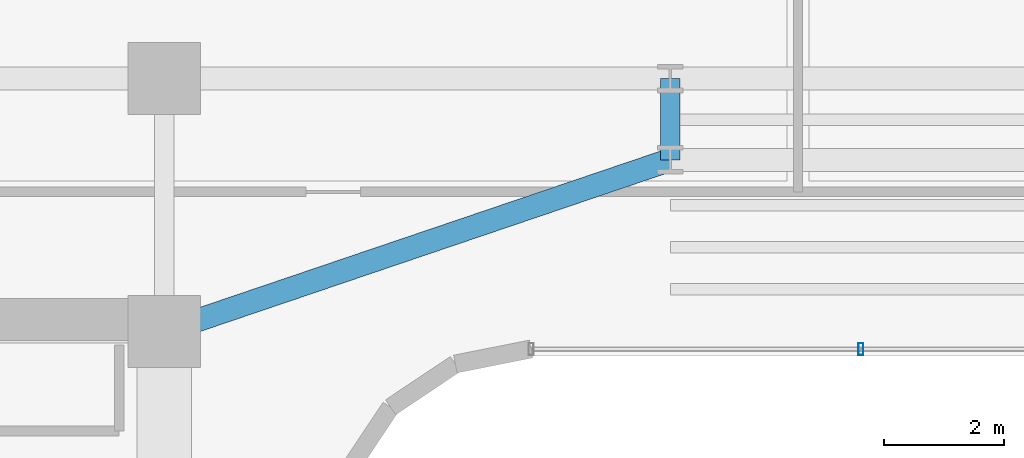
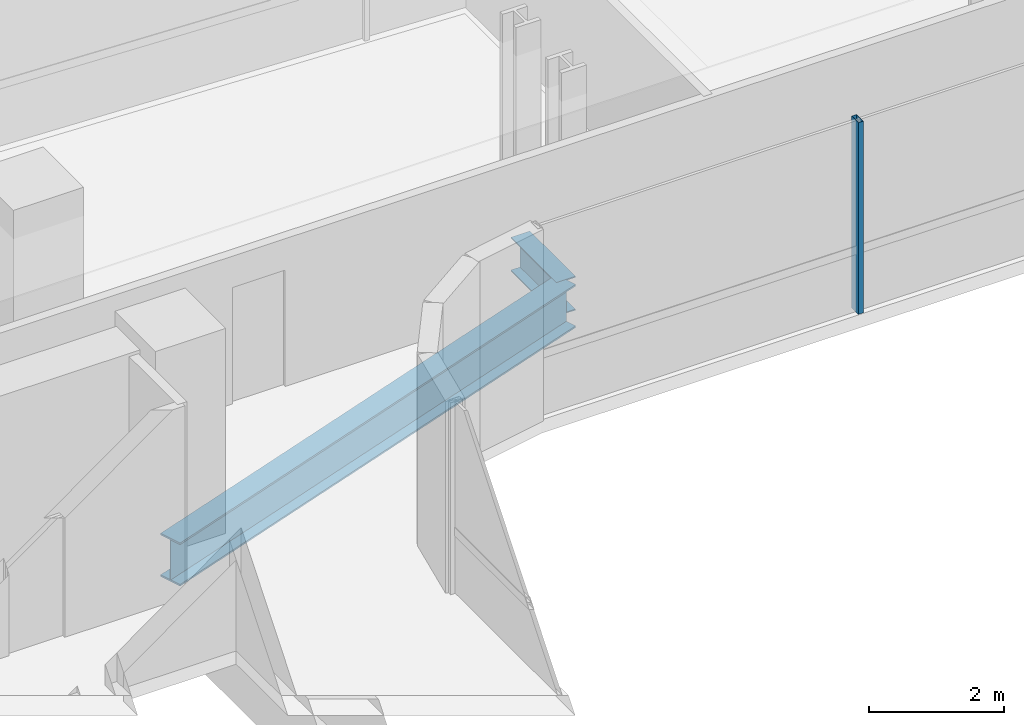
# One storey, part 10 of 34: 2 beams, 1 member, 1 element without a shape of its own.
"""IFC4 building model written with IfcOpenShell, lengths in metres."""

from ifc_helpers import new_model, si_unit, direction, frame, origin, origin_2d, place, context, subcontext, project, spatial, hollow_rectangle, i_section, extrude, source, transform, mapped, material, material_profile, profile_set, type_object, element, aggregate, save


model = new_model("IFC4")

# Units and contexts
model_context = context("Model", 3, precision=1e-05, world=origin(), true_north=direction((0.0, 1.0)))
body_context = subcontext(model_context, "Body", "Model", "MODEL_VIEW")
ifc_project = project(units=[si_unit("LENGTHUNIT", "METRE"), si_unit("AREAUNIT", "SQUARE_METRE"), si_unit("VOLUMEUNIT", "CUBIC_METRE"), si_unit("PLANEANGLEUNIT", "RADIAN"), si_unit("MASSUNIT", "GRAM", prefix="KILO")], contexts=[model_context])

# Site, building, storey
site_placement = place(None, origin())
site = spatial("IfcSite", under=ifc_project, at=site_placement, CompositionType="ELEMENT")
building_placement = place(site_placement, origin())
building = spatial("IfcBuilding", under=site, at=building_placement, Name="Valdorenza Pilgrim Sanctuary Tower", CompositionType="ELEMENT")
storey_placement = place(building_placement, frame((0.0, 0.0, 142.699951171875)))
storey = spatial("IfcBuildingStorey", under=building, at=storey_placement, Name="L36", CompositionType="ELEMENT", Elevation=142.699951171875)

# Beams
ifc_material_1 = material(Name="Steel ASTM A992 Grade 50", Category="steel")
ifc_material_profile_1 = material_profile(ifc_material_1, i_section(OverallWidth=0.323974609375, OverallDepth=0.611083984375, WebThickness=0.0126953125, FlangeThickness=0.01904296875, at=origin_2d()), Name="W24X104")
ifc_profile_set_1 = profile_set([ifc_material_profile_1], Name="Steel ASTM A992 Grade 50")
beam_type_1 = type_object("IfcBeamType", Name="STR-BM-GRD-W24B", PredefinedType="BEAM", material=ifc_profile_set_1)
shared_shape_1 = source(origin(), body_context, "Body", "SweptSolid", [
    extrude(i_section(OverallWidth=0.323974609375, OverallDepth=0.611083984375, WebThickness=0.0126953125, FlangeThickness=0.01904296875, at=origin_2d()), origin(), (0.0, 0.0, 1.0), 1.35009765625),
])
beam_1_placement = place(storey_placement, frame((-4.0, 13.449951171875, -0.54541015625), z_axis=(0.0, 1.0, 0.0), x_axis=(-1.0, 0.0, 0.0)))
element("IfcBeam", 1, at=beam_1_placement, inside=storey, type_object=beam_type_1, Name="L36 Floor Girder KNK-TIE-W", PredefinedType="BEAM", context=body_context, shape_type="MappedRepresentation", body=[
    mapped(shared_shape_1, transform((0.0, 0.0, 0.0), x_axis=(1.0, 0.0, 0.0), y_axis=(0.0, 1.0, 0.0), z_axis=(0.0, 0.0, 1.0), scale=1.0)),
])
ifc_material_profile_2 = material_profile(ifc_material_1, i_section(OverallWidth=0.382080078125, OverallDepth=0.779052734375, WebThickness=0.01806640625, FlangeThickness=0.030029296875, at=origin_2d()), Name="W30X191")
ifc_profile_set_2 = profile_set([ifc_material_profile_2], Name="Steel ASTM A992 Grade 50")
beam_type_2 = type_object("IfcBeamType", Name="STR-BM-GRD-W30", PredefinedType="BEAM", material=ifc_profile_set_2)
shared_shape_2 = source(origin(), body_context, "Body", "SweptSolid", [
    extrude(i_section(OverallWidth=0.382080078125, OverallDepth=0.779052734375, WebThickness=0.01806640625, FlangeThickness=0.030029296875, at=origin_2d()), origin(), (0.0, 0.0, 1.0), 8.8701171875),
])
beam_2_placement = place(storey_placement, frame((-12.39990234375, 10.60009765625, -0.62939453125), z_axis=(0.946982588361, 0.321284885018, 0.0), x_axis=(-0.321284885018, 0.946982588361, 0.0)))
element("IfcBeam", 2, at=beam_2_placement, inside=storey, type_object=beam_type_2, Name="L36 Floor Girder KNK-G1", PredefinedType="BEAM", context=body_context, shape_type="MappedRepresentation", body=[
    mapped(shared_shape_2, transform((0.0, 0.0, 0.0), x_axis=(1.0, 0.0, 0.0), y_axis=(0.0, 1.0, 0.0), z_axis=(0.0, 0.0, 1.0), scale=1.0)),
])

# Curtain wall, member
ifc_material_2 = material(Name="Curtain-wall IGU glazing", Category="glass")
curtain_wall_type = type_object("IfcCurtainWallType", Name="CW-SYS-02", PredefinedType="NOTDEFINED", material=ifc_material_2)
curtain_wall_placement = place(storey_placement, origin())
curtain_wall = element("IfcCurtainWall", 3, at=curtain_wall_placement, inside=storey, type_object=curtain_wall_type, Name="L36 Curtain Wall CW-L36-1-36", PredefinedType="NOTDEFINED")
ifc_material_3 = material(Name="Anodised aluminium AW-6060", Category="aluminium")
ifc_material_profile_3 = material_profile(ifc_material_3, hollow_rectangle(XDim=0.0849609375, YDim=0.199951171875, WallThickness=0.0048828125, at=origin_2d()), Name="ALU-M 200x85x5")
ifc_profile_set_3 = profile_set([ifc_material_profile_3], Name="Anodised aluminium AW-6060")
member_type = type_object("IfcMemberType", Name="CW-MUL-02", PredefinedType="MULLION", material=ifc_profile_set_3)
shared_shape_3 = source(origin(), body_context, "Body", "SweptSolid", [
    extrude(hollow_rectangle(XDim=0.0849609375, YDim=0.199951171875, WallThickness=0.0048828125, at=origin_2d()), origin(), (0.0, 0.0, 1.0), 3.4599609375),
])
member_placement = place(storey_placement, frame((-0.8369140625, 10.31005859375, 0.0), z_axis=(0.0, 0.0, 1.0), x_axis=(-1.0, 0.0, 0.0)))
member = element("IfcMember", 4, at=member_placement, type_object=member_type, Name="CW-L36-1-36 Mullion 3", PredefinedType="MULLION", context=body_context, shape_type="MappedRepresentation", body=[
    mapped(shared_shape_3, transform((0.0, 0.0, 0.0), x_axis=(1.0, 0.0, 0.0), y_axis=(0.0, 1.0, 0.0), z_axis=(0.0, 0.0, 1.0), scale=1.0)),
])
aggregate(curtain_wall, [member])

save(model, "model.ifc")
